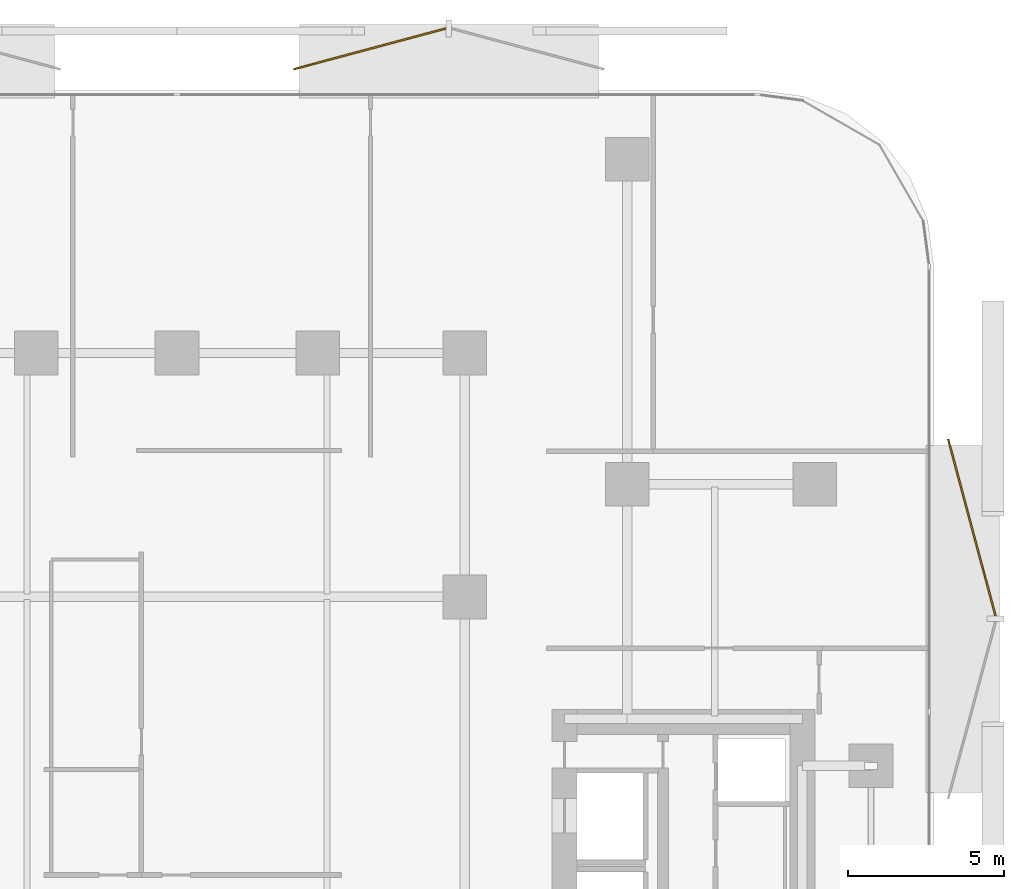
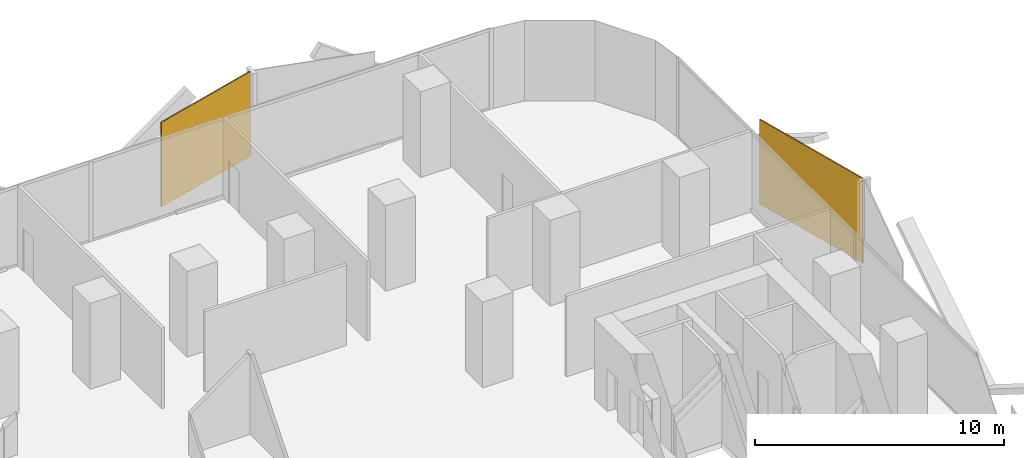
# One storey, part 15 of 15: 2 coverings.
"""IFC4 building model written with IfcOpenShell, lengths in metres."""

import ifcopenshell
import ifcopenshell.guid

model = None  # the IFC model being written
_history = None  # IfcOwnerHistory: only IFC2X3 demands one
_inside = {}  # id of a spatial element -> (the spatial element, [elements in it])
_under = {}  # id of a project, library or spatial element -> (it, [spatial elements below it])
_declared = {}  # id of a project -> (the project, [libraries it declares])
_typed = {}  # id of a type object -> (the type object, [elements of that type])
_made_of = {}  # id of a material, layer set ... -> (it, [elements and type objects made of it])


def new_model(schema):
    """Start an empty IFC model of exactly this schema.

    Asked for "IFC4X3", IfcOpenShell would pick the latest addendum, in which some entities
    have other attributes; the version numbers below select the first issue.
    IFC2X3 requires an IfcOwnerHistory on every rooted entity: one is made here for all.
    """
    global model, _history
    if schema == "IFC4X3":
        model = ifcopenshell.file(schema_version=(4, 3, 0, 0))
    else:
        model = ifcopenshell.file(schema=schema)
    _inside.clear()
    _under.clear()
    _declared.clear()
    _typed.clear()
    _made_of.clear()
    _history = None
    if model.schema == "IFC2X3":
        org = make("IfcOrganization", Name="unknown")
        user = make(
            "IfcPersonAndOrganization",
            ThePerson=make("IfcPerson", FamilyName="unknown"),
            TheOrganization=org,
        )
        app = make(
            "IfcApplication",
            ApplicationDeveloper=org,
            Version="unknown",
            ApplicationFullName="unknown",
            ApplicationIdentifier="unknown",
        )
        _history = make(
            "IfcOwnerHistory",
            OwningUser=user,
            OwningApplication=app,
            ChangeAction="ADDED",
            CreationDate=0,
        )
    return model


def make(cls, **values):
    """One entity of the class cls with the attributes given. An attribute that is None is left unset."""
    return model.create_entity(
        cls, **{name: value for name, value in values.items() if value is not None}
    )


def rooted(cls, **values):
    """An entity with a GlobalId (a new one), such as an element, a storey or a relation."""
    return make(cls, GlobalId=ifcopenshell.guid.new(), OwnerHistory=_history, **values)


def si_unit(unit_type, name, prefix=None):
    """IfcSIUnit, for example si_unit("LENGTHUNIT", "METRE", prefix="MILLI")."""
    return make("IfcSIUnit", UnitType=unit_type, Prefix=prefix, Name=name)


def assignment(units):
    """IfcUnitAssignment: the units of a project."""
    return None if units is None else make("IfcUnitAssignment", Units=units)


def point(xyz):
    """IfcCartesianPoint."""
    return None if xyz is None else make("IfcCartesianPoint", Coordinates=xyz)


def direction(xyz):
    """IfcDirection."""
    return None if xyz is None else make("IfcDirection", DirectionRatios=xyz)


def frame(location, z_axis=None, x_axis=None):
    """IfcAxis2Placement3D, a coordinate frame: its origin and axes. An axis left out is left unset."""
    return make(
        "IfcAxis2Placement3D",
        Location=point(location),
        Axis=direction(z_axis),
        RefDirection=direction(x_axis),
    )


def frame_2d(location, x_axis=None):
    """IfcAxis2Placement2D, a coordinate frame in the plane: its origin and x axis."""
    return make(
        "IfcAxis2Placement2D", Location=point(location), RefDirection=direction(x_axis)
    )


def origin():
    """The frame at (0, 0, 0) with its axes left unset."""
    return frame((0.0, 0.0, 0.0))


def origin_2d():
    """The frame at (0, 0) in the plane with its x axis left unset."""
    return frame_2d((0.0, 0.0))


def place(relative_to, where):
    """IfcLocalPlacement: puts the frame where relative to a parent placement (None: the world)."""
    return make(
        "IfcLocalPlacement", PlacementRelTo=relative_to, RelativePlacement=where
    )


def context(
    kind, dimensions, precision=None, world=None, true_north=None, identifier=None
):
    """IfcGeometricRepresentationContext, for example the 3D "Model" context."""
    return make(
        "IfcGeometricRepresentationContext",
        ContextIdentifier=identifier,
        ContextType=kind,
        CoordinateSpaceDimension=dimensions,
        Precision=precision,
        WorldCoordinateSystem=world,
        TrueNorth=true_north,
    )


def subcontext(parent, identifier, kind, view, scale=None):
    """IfcGeometricRepresentationSubContext, for example "Body" below "Model"."""
    return make(
        "IfcGeometricRepresentationSubContext",
        ContextIdentifier=identifier,
        ContextType=kind,
        ParentContext=parent,
        TargetScale=scale,
        TargetView=view,
    )


def project(units=None, contexts=None):
    """IfcProject with its units and contexts."""
    return rooted(
        "IfcProject",
        Name="project",
        RepresentationContexts=contexts,
        UnitsInContext=assignment(units),
    )


def spatial(cls, under=None, at=None, **own):
    """A site, building, storey or space (cls), placed at a placement, below another one or the project."""
    s = rooted(cls, ObjectPlacement=at, **own)
    if under is not None:
        _under.setdefault(under.id(), (under, []))[1].append(s)
    return s


def profile(cls, at=None, kind="AREA", **sizes):
    """A parametric profile (cls). Its sizes go by their IFC names, for example OverallWidth=200.0."""
    return make(cls, ProfileType=kind, Position=at, **sizes)


def rectangle(**sizes):
    """IfcRectangleProfileDef."""
    return profile("IfcRectangleProfileDef", **sizes)


def extrude(swept, where, along, depth):
    """IfcExtrudedAreaSolid: the profile swept, set in the frame where, extruded along a direction by depth."""
    return make(
        "IfcExtrudedAreaSolid",
        SweptArea=swept,
        Position=where,
        ExtrudedDirection=direction(along),
        Depth=depth,
    )


def shape(context_of_items, identifier, shape_type, items):
    """IfcShapeRepresentation: the items that make up one representation, for example the "Body"."""
    return make(
        "IfcShapeRepresentation",
        ContextOfItems=context_of_items,
        RepresentationIdentifier=identifier,
        RepresentationType=shape_type,
        Items=items,
    )


def material(Name=None, Category=None):
    """IfcMaterial."""
    return make("IfcMaterial", Name=Name, Category=Category)


def layer(
    of_material, thickness, ventilated=None, Name=None, Category=None, Priority=None
):
    """IfcMaterialLayer: one layer of a wall or slab, of a material (None: an air gap)."""
    return make(
        "IfcMaterialLayer",
        Material=of_material,
        LayerThickness=thickness,
        IsVentilated=ventilated,
        Name=Name,
        Category=Category,
        Priority=Priority,
    )


def layer_set(layers, Name=None):
    """IfcMaterialLayerSet."""
    return make("IfcMaterialLayerSet", MaterialLayers=layers, LayerSetName=Name)


def made_of(thing, what):
    """Note that an element or type object is made of a material, layer set ...; save() writes the relation."""
    if what is not None:
        _made_of.setdefault(what.id(), (what, []))[1].append(thing)
    return thing


def type_object(cls, material=None, **own):
    """A type object (cls), such as IfcWallType, which elements share."""
    return made_of(rooted(cls, **own), material)


def element(
    cls,
    number,
    at=None,
    inside=None,
    cuts=None,
    type_object=None,
    material=None,
    context=None,
    identifier="Body",
    shape_type=None,
    held_by="IfcProductDefinitionShape",
    body=None,
    shapes=None,
    **own,
):
    """One element of the class cls, such as IfcWall. Its Tag is "e" and its number.

    at: its placement. inside: the storey or other place that contains it. cuts: it is an
    opening in that element (IfcRelVoidsElement). A single representation is given by context,
    identifier, shape_type and body (its items); several are given by shapes. held_by: the class
    of the entity that holds the representations. save() writes the other relations.
    """
    e = rooted(cls, Tag="e%d" % number, ObjectPlacement=at, **own)
    if body is not None:
        shapes = [shape(context, identifier, shape_type, body)]
    if shapes is not None:
        e.Representation = make(held_by, Representations=shapes)
    if inside is not None:
        _inside.setdefault(inside.id(), (inside, []))[1].append(e)
    if cuts is not None:
        rooted(
            "IfcRelVoidsElement", RelatingBuildingElement=cuts, RelatedOpeningElement=e
        )
    if type_object is not None:
        _typed.setdefault(type_object.id(), (type_object, []))[1].append(e)
    return made_of(e, material)


def aggregate(whole, parts):
    """IfcRelAggregates: a whole, such as a stair, and the parts it consists of."""
    return rooted("IfcRelAggregates", RelatingObject=whole, RelatedObjects=parts)


def save(model, path):
    """Write the relations noted so far, then the file.

    IfcRelAggregates (storeys below a building ...), IfcRelContainedInSpatialStructure (elements
    in a storey), IfcRelDefinesByType, IfcRelAssociatesMaterial and IfcRelDeclares: one each for
    every whole, place, type object, material and project.
    """
    for whole, parts in _under.values():
        aggregate(whole, parts)
    for where, things in _inside.values():
        rooted(
            "IfcRelContainedInSpatialStructure",
            RelatedElements=things,
            RelatingStructure=where,
        )
    for kind, things in _typed.values():
        rooted("IfcRelDefinesByType", RelatedObjects=things, RelatingType=kind)
    for what, things in _made_of.values():
        rooted("IfcRelAssociatesMaterial", RelatedObjects=things, RelatingMaterial=what)
    for by, libraries in _declared.values():
        rooted("IfcRelDeclares", RelatingContext=by, RelatedDefinitions=libraries)
    model.write(path)


model = new_model("IFC4")

# Units and contexts
model_context = context("Model", 3, precision=1e-05, world=origin(), true_north=direction((0.0, 1.0)))
body_context = subcontext(model_context, "Body", "Model", "MODEL_VIEW")
ifc_project = project(units=[si_unit("LENGTHUNIT", "METRE"), si_unit("AREAUNIT", "SQUARE_METRE"), si_unit("VOLUMEUNIT", "CUBIC_METRE"), si_unit("PLANEANGLEUNIT", "RADIAN"), si_unit("MASSUNIT", "GRAM", prefix="KILO")], contexts=[model_context])

# Site, building, storey
site_placement = place(None, origin())
site = spatial("IfcSite", under=ifc_project, at=site_placement, CompositionType="ELEMENT")
building_placement = place(site_placement, origin())
building = spatial("IfcBuilding", under=site, at=building_placement, Name="Khairoan Windgate Tower", CompositionType="ELEMENT")
storey_placement = place(building_placement, frame((0.0, 0.0, 76.39990234375)))
storey = spatial("IfcBuildingStorey", under=building, at=storey_placement, Name="L18", CompositionType="ELEMENT", Elevation=76.39990234375)

# Coverings
ifc_material = material(Name="Anodised Bronze Aluminium 6063-T6", Category="aluminium")
ifc_layer = layer(ifc_material, 0.054931640625, Name="Anodised Bronze Aluminium 6063-T6")
ifc_layer_set = layer_set([ifc_layer], Name="Anodised Bronze Aluminium 6063-T6")
covering_type = type_object("IfcCoveringType", Name="Perforated Bronze-Ceramic Folded Solar Screen Cladding BSC-1", PredefinedType="CLADDING", material=ifc_layer_set)
covering_1_placement = place(storey_placement, frame((6.169921875, 28.327392578125, -0.099609375), z_axis=(0.0, 0.0, 1.0), x_axis=(0.965925826289, 0.258819045103, 0.0)))
element("IfcCovering", 1, at=covering_1_placement, inside=storey, type_object=covering_type, Name="L18 Folded Bronze Solar Screen Facet 102L", PredefinedType="CLADDING", context=body_context, shape_type="SweptSolid", body=[
    extrude(rectangle(XDim=5.04296875, YDim=0.054931640625, at=origin_2d()), origin(), (0.0, 0.0, 1.0), 4.139892578125),
])
covering_2_placement = place(storey_placement, frame((25.42236328125, 13.01318359375, -0.099609375), z_axis=(0.0, 0.0, 1.0), x_axis=(0.258819045103, -0.965925826289, 0.0)))
element("IfcCovering", 2, at=covering_2_placement, inside=storey, type_object=covering_type, Name="L18 Folded Bronze Solar Screen Facet 103L", PredefinedType="CLADDING", context=body_context, shape_type="SweptSolid", body=[
    extrude(rectangle(XDim=5.85498046875, YDim=0.054931640625, at=origin_2d()), origin(), (0.0, 0.0, 1.0), 4.139892578125),
])

save(model, "model.ifc")
